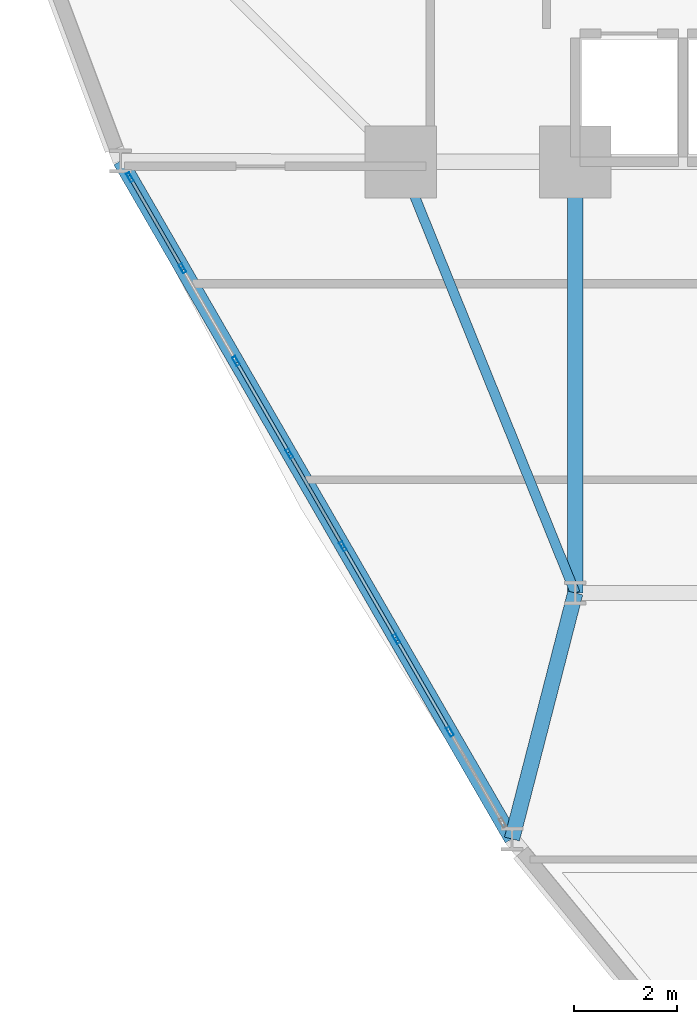
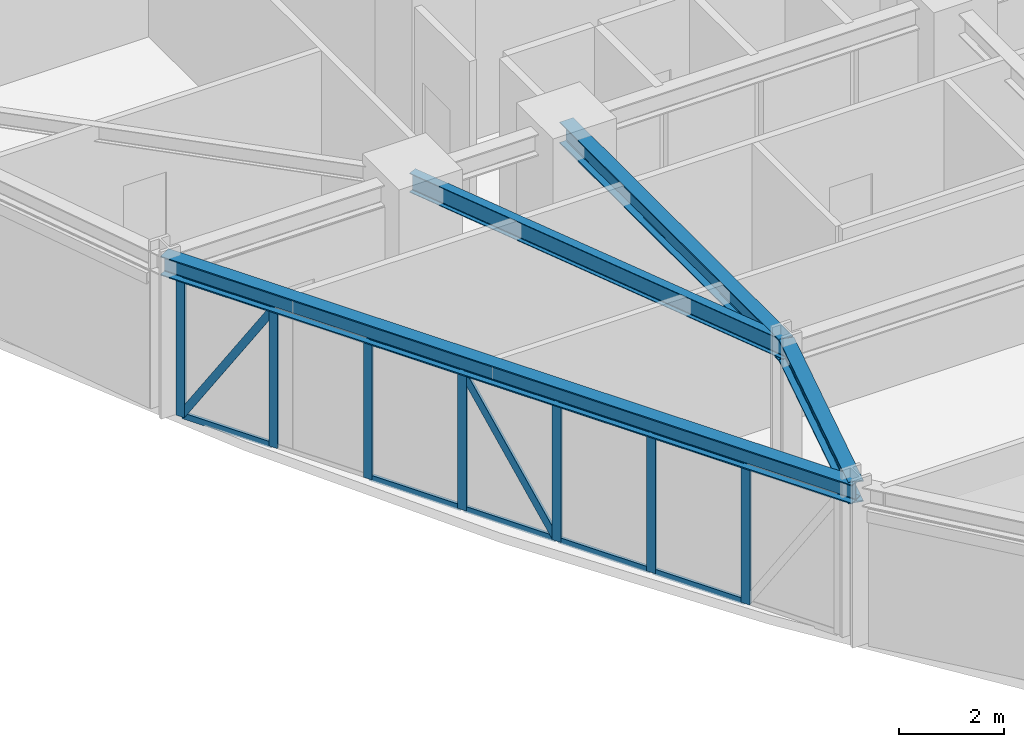
# One storey, part 4 of 20: 19 members, 4 beams, 1 element without a shape of its own.
"""IFC4 building model written with IfcOpenShell, lengths in metres."""

from ifc_helpers import new_model, si_unit, derived_unit, direction, frame, origin, origin_2d, place, context, subcontext, project, spatial, hollow_rectangle, i_section, extrude, source, transform, mapped, material, layer, layer_set, material_profile, profile_set, type_object, element, aggregate, save


model = new_model("IFC4")

# Units and contexts
model_context = context("Model", 3, precision=1e-05, world=origin(), true_north=direction((0.0, 1.0)))
body_context = subcontext(model_context, "Body", "Model", "MODEL_VIEW")
ifc_project = project(units=[si_unit("LENGTHUNIT", "METRE"), si_unit("AREAUNIT", "SQUARE_METRE"), si_unit("VOLUMEUNIT", "CUBIC_METRE"), si_unit("PLANEANGLEUNIT", "RADIAN"), si_unit("MASSUNIT", "GRAM", prefix="KILO"), derived_unit("THERMALTRANSMITTANCEUNIT", [(si_unit("POWERUNIT", "WATT"), 1), (si_unit("LENGTHUNIT", "METRE"), -2), (si_unit("THERMODYNAMICTEMPERATUREUNIT", "KELVIN"), -1)])], contexts=[model_context])

# Site, building, storey
site_placement = place(None, origin())
site = spatial("IfcSite", under=ifc_project, at=site_placement, CompositionType="ELEMENT")
building_placement = place(site_placement, origin())
building = spatial("IfcBuilding", under=site, at=building_placement, Name="Korsvarv Bourse and Concert Hall", CompositionType="ELEMENT")
storey_placement = place(building_placement, frame((0.0, 0.0, 67.800048828125)))
storey = spatial("IfcBuildingStorey", under=building, at=storey_placement, Name="L16", CompositionType="ELEMENT", Elevation=67.800048828125)

# Beams
ifc_material_1 = material(Name="Steel S355", Category="steel")
ifc_material_profile_1 = material_profile(ifc_material_1, i_section(OverallWidth=0.300048828125, OverallDepth=0.5, WebThickness=0.014404296875, FlangeThickness=0.028076171875, FilletRadius=0.02392578125, at=origin_2d()), Name="HEB 500")
ifc_profile_set_1 = profile_set([ifc_material_profile_1], Name="Steel S355")
beam_type_1 = type_object("IfcBeamType", Name="BM-HEB500", PredefinedType="BEAM", material=ifc_profile_set_1)
shared_shape_1 = source(origin(), body_context, "Body", "SweptSolid", [
    extrude(i_section(OverallWidth=0.300048828125, OverallDepth=0.5, WebThickness=0.014404296875, FlangeThickness=0.028076171875, FilletRadius=0.02392578125, at=origin_2d()), origin(), (0.0, 0.0, 1.0), 8.39990234375),
])
beam_1_placement = place(storey_placement, frame((27.60009765625, 24.0, 3.429931640625), z_axis=(0.0, 1.0, 0.0), x_axis=(-1.0, 0.0, 0.0)))
element("IfcBeam", 1, at=beam_1_placement, inside=storey, type_object=beam_type_1, Name="L16 beam B-07", PredefinedType="BEAM", context=body_context, shape_type="MappedRepresentation", body=[
    mapped(shared_shape_1, transform((0.0, 0.0, 0.0), scale=1.0)),
])
ifc_material_profile_2 = material_profile(ifc_material_1, i_section(OverallWidth=0.18994140625, OverallDepth=0.449951171875, WebThickness=0.009521484375, FlangeThickness=0.0146484375, FilletRadius=0.02099609375, at=origin_2d()), Name="IPE 450")
ifc_profile_set_2 = profile_set([ifc_material_profile_2], Name="Steel S355")
beam_type_2 = type_object("IfcBeamType", Name="BM-IPE450", PredefinedType="JOIST", material=ifc_profile_set_2)
shared_shape_2 = source(origin(), body_context, "Body", "SweptSolid", [
    extrude(i_section(OverallWidth=0.18994140625, OverallDepth=0.449951171875, WebThickness=0.009521484375, FlangeThickness=0.0146484375, FilletRadius=0.02099609375, at=origin_2d()), origin(), (0.0, 0.0, 1.0), 9.06201171875),
])
beam_2_placement = place(storey_placement, frame((24.199951171875, 32.39990234375, 3.454833984375), z_axis=(0.375210394783, -0.926939674222, 0.0), x_axis=(0.926939674222, 0.375210394783, 0.0)))
element("IfcBeam", 2, at=beam_2_placement, inside=storey, type_object=beam_type_2, Name="L16 beam J-04", PredefinedType="JOIST", context=body_context, shape_type="MappedRepresentation", body=[
    mapped(shared_shape_2, transform((0.0, 0.0, 0.0), scale=1.0)),
])
ifc_material_profile_3 = material_profile(ifc_material_1, i_section(OverallWidth=0.300048828125, OverallDepth=0.449951171875, WebThickness=0.013916015625, FlangeThickness=0.02587890625, FilletRadius=0.02099609375, at=origin_2d()), Name="HEB 450")
ifc_profile_set_3 = profile_set([ifc_material_profile_3], Name="Steel S355")
beam_type_3 = type_object("IfcBeamType", Name="BM-HEB450", PredefinedType="SPANDREL", material=ifc_profile_set_3)
shared_shape_3 = source(origin(), body_context, "Body", "SweptSolid", [
    extrude(i_section(OverallWidth=0.300048828125, OverallDepth=0.449951171875, WebThickness=0.013916015625, FlangeThickness=0.02587890625, FilletRadius=0.02099609375, at=origin_2d()), origin(), (0.0, 0.0, 1.0), 15.25341796875),
])
beam_3_placement = place(storey_placement, frame((18.73974609375, 32.41650390625, 3.454833984375), z_axis=(0.500015713259, -0.86601633154, 0.0), x_axis=(0.86601633154, 0.500015713259, 0.0)))
element("IfcBeam", 3, at=beam_3_placement, inside=storey, type_object=beam_type_3, Name="L16 beam B-08", PredefinedType="SPANDREL", context=body_context, shape_type="MappedRepresentation", body=[
    mapped(shared_shape_3, transform((0.0, 0.0, 0.0), scale=1.0)),
])
shared_shape_4 = source(origin(), body_context, "Body", "SweptSolid", [
    extrude(i_section(OverallWidth=0.300048828125, OverallDepth=0.5, WebThickness=0.014404296875, FlangeThickness=0.028076171875, FilletRadius=0.02392578125, at=origin_2d()), origin(), (0.0, 0.0, 1.0), 4.949462890625),
])
beam_4_placement = place(storey_placement, frame((26.36669921875, 19.206787109375, 3.429931640625), z_axis=(0.249203636477, 0.968451107473, 0.0), x_axis=(-0.968451107473, 0.249203636477, 0.0)))
element("IfcBeam", 4, at=beam_4_placement, inside=storey, type_object=beam_type_1, Name="L16 beam B-07", PredefinedType="BEAM", context=body_context, shape_type="MappedRepresentation", body=[
    mapped(shared_shape_4, transform((0.0, 0.0, 0.0), scale=1.0)),
])

# Curtain wall, members
ifc_material_2 = material(Name="Anodised aluminium and triple low-E glazing", Category="glass")
ifc_layer = layer(ifc_material_2, 0.219970703125)
ifc_layer_set = layer_set([ifc_layer], Name="Anodised aluminium and triple low-E glazing")
curtain_wall_type = type_object("IfcCurtainWallType", Name="CW-SYS-1", PredefinedType="NOTDEFINED", material=ifc_layer_set)
curtain_wall_placement = place(storey_placement, origin())
curtain_wall = element("IfcCurtainWall", 5, at=curtain_wall_placement, inside=storey, type_object=curtain_wall_type, Name="L16 CW1 curtain wall CW-L16-F07", PredefinedType="NOTDEFINED")
ifc_material_3 = material(Name="Extruded aluminium EN AW-6063 T66", Category="aluminium")
ifc_material_profile_4 = material_profile(ifc_material_3, hollow_rectangle(XDim=0.070068359375, YDim=0.18994140625, WallThickness=0.0048828125, at=origin_2d()), Name="ALU-M 70x190")
ifc_profile_set_4 = profile_set([ifc_material_profile_4], Name="Extruded aluminium EN AW-6063 T66")
member_type_1 = type_object("IfcMemberType", Name="CWM-190", PredefinedType="MULLION", material=ifc_profile_set_4)
shared_shape_5 = source(origin(), body_context, "Body", "SweptSolid", [
    extrude(hollow_rectangle(XDim=0.070068359375, YDim=0.18994140625, WallThickness=0.0048828125, at=origin_2d()), origin(), (0.0, 0.0, 1.0), 3.22998046875),
])
member_1_placement = place(storey_placement, frame((18.923095703125, 32.09912109375, 0.0), z_axis=(0.0, 0.0, 1.0), x_axis=(0.86602191759, 0.500006038217, 0.0)))
member_1 = element("IfcMember", 6, at=member_1_placement, type_object=member_type_1, Name="CW1 mullion 1", PredefinedType="MULLION", context=body_context, shape_type="MappedRepresentation", body=[
    mapped(shared_shape_5, transform((0.0, 0.0, 0.0), scale=1.0)),
])
member_2_placement = place(storey_placement, frame((19.94775390625, 30.324462890625, 0.0), z_axis=(0.0, 0.0, 1.0), x_axis=(0.86602191759, 0.500006038217, 0.0)))
member_2 = element("IfcMember", 7, at=member_2_placement, type_object=member_type_1, Name="CW1 mullion 2", PredefinedType="MULLION", context=body_context, shape_type="MappedRepresentation", body=[
    mapped(shared_shape_5, transform((0.0, 0.0, 0.0), scale=1.0)),
])
member_3_placement = place(storey_placement, frame((20.989990234375, 28.519287109375, 0.0), z_axis=(0.0, 0.0, 1.0), x_axis=(0.86602191759, 0.500006038217, 0.0)))
member_3 = element("IfcMember", 8, at=member_3_placement, type_object=member_type_1, Name="CW1 mullion 3", PredefinedType="MULLION", context=body_context, shape_type="MappedRepresentation", body=[
    mapped(shared_shape_5, transform((0.0, 0.0, 0.0), scale=1.0)),
])
member_4_placement = place(storey_placement, frame((22.031982421875, 26.714111328125, 0.0), z_axis=(0.0, 0.0, 1.0), x_axis=(0.86602191759, 0.500006038217, 0.0)))
member_4 = element("IfcMember", 9, at=member_4_placement, type_object=member_type_1, Name="CW1 mullion 4", PredefinedType="MULLION", context=body_context, shape_type="MappedRepresentation", body=[
    mapped(shared_shape_5, transform((0.0, 0.0, 0.0), scale=1.0)),
])
member_5_placement = place(storey_placement, frame((23.07421875, 24.908935546875, 0.0), z_axis=(0.0, 0.0, 1.0), x_axis=(0.86602191759, 0.500006038217, 0.0)))
member_5 = element("IfcMember", 10, at=member_5_placement, type_object=member_type_1, Name="CW1 mullion 5", PredefinedType="MULLION", context=body_context, shape_type="MappedRepresentation", body=[
    mapped(shared_shape_5, transform((0.0, 0.0, 0.0), scale=1.0)),
])
member_6_placement = place(storey_placement, frame((24.116455078125, 23.10400390625, 0.0), z_axis=(0.0, 0.0, 1.0), x_axis=(0.86602191759, 0.500006038217, 0.0)))
member_6 = element("IfcMember", 11, at=member_6_placement, type_object=member_type_1, Name="CW1 mullion 6", PredefinedType="MULLION", context=body_context, shape_type="MappedRepresentation", body=[
    mapped(shared_shape_5, transform((0.0, 0.0, 0.0), scale=1.0)),
])
member_7_placement = place(storey_placement, frame((25.15869140625, 21.298828125, 0.0), z_axis=(0.0, 0.0, 1.0), x_axis=(0.86602191759, 0.500006038217, 0.0)))
member_7 = element("IfcMember", 12, at=member_7_placement, type_object=member_type_1, Name="CW1 mullion 7", PredefinedType="MULLION", context=body_context, shape_type="MappedRepresentation", body=[
    mapped(shared_shape_5, transform((0.0, 0.0, 0.0), scale=1.0)),
])
ifc_material_profile_5 = material_profile(ifc_material_3, hollow_rectangle(XDim=0.06494140625, YDim=0.139892578125, WallThickness=0.00390625, at=origin_2d()), Name="ALU-T 65x140")
ifc_profile_set_5 = profile_set([ifc_material_profile_5], Name="Extruded aluminium EN AW-6063 T66")
member_type_2 = type_object("IfcMemberType", Name="CWT-140", PredefinedType="USERDEFINED", material=ifc_profile_set_5)
shared_shape_6 = source(origin(), body_context, "Body", "SweptSolid", [
    extrude(hollow_rectangle(XDim=0.06494140625, YDim=0.139892578125, WallThickness=0.00390625, at=origin_2d()), origin(), (0.0, 0.0, 1.0), 1.979248046875),
])
member_8_placement = place(storey_placement, frame((18.9404296875, 32.06884765625, 0.032470703125), z_axis=(0.500039200885, -0.86600276996, 0.0), x_axis=(0.86600276996, 0.500039200885, 0.0)))
member_8 = element("IfcMember", 13, at=member_8_placement, type_object=member_type_2, Name="CW1 transom 1.1", ObjectType="TRANSOM", PredefinedType="USERDEFINED", context=body_context, shape_type="MappedRepresentation", body=[
    mapped(shared_shape_6, transform((0.0, 0.0, 0.0), scale=1.0)),
])
member_9_placement = place(storey_placement, frame((18.9404296875, 32.06884765625, 3.197509765625), z_axis=(0.500039200885, -0.86600276996, 0.0), x_axis=(0.86600276996, 0.500039200885, 0.0)))
member_9 = element("IfcMember", 14, at=member_9_placement, type_object=member_type_2, Name="CW1 transom 1.2", ObjectType="TRANSOM", PredefinedType="USERDEFINED", context=body_context, shape_type="MappedRepresentation", body=[
    mapped(shared_shape_6, transform((0.0, 0.0, 0.0), scale=1.0)),
])
ifc_material_profile_6 = material_profile(ifc_material_3, hollow_rectangle(XDim=0.06494140625, YDim=0.1650390625, WallThickness=0.0048828125, at=origin_2d()), Name="ALU-M 65x165")
ifc_profile_set_6 = profile_set([ifc_material_profile_6], Name="Extruded aluminium EN AW-6063 T66")
member_type_3 = type_object("IfcMemberType", Name="CWM-165", PredefinedType="MULLION", material=ifc_profile_set_6)
shared_shape_7 = source(origin(), body_context, "Body", "SweptSolid", [
    extrude(hollow_rectangle(XDim=0.06494140625, YDim=0.1650390625, WallThickness=0.0048828125, at=origin_2d()), origin(), (0.0, 0.0, 1.0), 3.677978515625),
])
member_10_placement = place(storey_placement, frame((18.9404296875, 32.06884765625, 0.06494140625), z_axis=(0.269092065497, -0.466032410423, 0.842854229818), x_axis=(0.86600276996, 0.500039200885, 0.0)))
member_10 = element("IfcMember", 15, at=member_10_placement, type_object=member_type_3, Name="CW1 diagonal mullion 1", PredefinedType="MULLION", context=body_context, shape_type="MappedRepresentation", body=[
    mapped(shared_shape_7, transform((0.0, 0.0, 0.0), scale=1.0)),
])
shared_shape_8 = source(origin(), body_context, "Body", "SweptSolid", [
    extrude(hollow_rectangle(XDim=0.06494140625, YDim=0.139892578125, WallThickness=0.00390625, at=origin_2d()), origin(), (0.0, 0.0, 1.0), 2.0146484375),
])
member_11_placement = place(storey_placement, frame((21.00732421875, 28.489013671875, 0.032470703125), z_axis=(0.500023174947, -0.866012023309, 0.0), x_axis=(0.866012023309, 0.500023174947, 0.0)))
member_11 = element("IfcMember", 16, at=member_11_placement, type_object=member_type_2, Name="CW1 transom 3.1", ObjectType="TRANSOM", PredefinedType="USERDEFINED", context=body_context, shape_type="MappedRepresentation", body=[
    mapped(shared_shape_8, transform((0.0, 0.0, 0.0), scale=1.0)),
])
member_12_placement = place(storey_placement, frame((21.00732421875, 28.489013671875, 3.197509765625), z_axis=(0.500023174947, -0.866012023309, 0.0), x_axis=(0.866012023309, 0.500023174947, 0.0)))
member_12 = element("IfcMember", 17, at=member_12_placement, type_object=member_type_2, Name="CW1 transom 3.2", ObjectType="TRANSOM", PredefinedType="USERDEFINED", context=body_context, shape_type="MappedRepresentation", body=[
    mapped(shared_shape_8, transform((0.0, 0.0, 0.0), scale=1.0)),
])
shared_shape_9 = source(origin(), body_context, "Body", "SweptSolid", [
    extrude(hollow_rectangle(XDim=0.06494140625, YDim=0.139892578125, WallThickness=0.00390625, at=origin_2d()), origin(), (0.0, 0.0, 1.0), 2.014404296875),
])
member_13_placement = place(storey_placement, frame((22.049560546875, 26.683837890625, 0.032470703125), z_axis=(0.500075657258, -0.86598171864, 0.0), x_axis=(0.86598171864, 0.500075657258, 0.0)))
member_13 = element("IfcMember", 18, at=member_13_placement, type_object=member_type_2, Name="CW1 transom 4.1", ObjectType="TRANSOM", PredefinedType="USERDEFINED", context=body_context, shape_type="MappedRepresentation", body=[
    mapped(shared_shape_9, transform((0.0, 0.0, 0.0), scale=1.0)),
])
member_14_placement = place(storey_placement, frame((22.049560546875, 26.683837890625, 3.197509765625), z_axis=(0.500075657258, -0.86598171864, 0.0), x_axis=(0.86598171864, 0.500075657258, 0.0)))
member_14 = element("IfcMember", 19, at=member_14_placement, type_object=member_type_2, Name="CW1 transom 4.2", ObjectType="TRANSOM", PredefinedType="USERDEFINED", context=body_context, shape_type="MappedRepresentation", body=[
    mapped(shared_shape_9, transform((0.0, 0.0, 0.0), scale=1.0)),
])
member_15_placement = place(storey_placement, frame((23.091796875, 24.878662109375, 0.032470703125), z_axis=(0.500075657258, -0.86598171864, 0.0), x_axis=(0.86598171864, 0.500075657258, 0.0)))
member_15 = element("IfcMember", 20, at=member_15_placement, type_object=member_type_2, Name="CW1 transom 5.1", ObjectType="TRANSOM", PredefinedType="USERDEFINED", context=body_context, shape_type="MappedRepresentation", body=[
    mapped(shared_shape_9, transform((0.0, 0.0, 0.0), scale=1.0)),
])
member_16_placement = place(storey_placement, frame((23.091796875, 24.878662109375, 3.197509765625), z_axis=(0.500075657258, -0.86598171864, 0.0), x_axis=(0.86598171864, 0.500075657258, 0.0)))
member_16 = element("IfcMember", 21, at=member_16_placement, type_object=member_type_2, Name="CW1 transom 5.2", ObjectType="TRANSOM", PredefinedType="USERDEFINED", context=body_context, shape_type="MappedRepresentation", body=[
    mapped(shared_shape_9, transform((0.0, 0.0, 0.0), scale=1.0)),
])
member_17_placement = place(storey_placement, frame((24.134033203125, 23.07373046875, 0.032470703125), z_axis=(0.499932278224, -0.86606449944, 0.0), x_axis=(0.86606449944, 0.499932278224, 0.0)))
member_17 = element("IfcMember", 22, at=member_17_placement, type_object=member_type_2, Name="CW1 transom 6.1", ObjectType="TRANSOM", PredefinedType="USERDEFINED", context=body_context, shape_type="MappedRepresentation", body=[
    mapped(shared_shape_9, transform((0.0, 0.0, 0.0), scale=1.0)),
])
member_18_placement = place(storey_placement, frame((24.134033203125, 23.07373046875, 3.197509765625), z_axis=(0.499932278224, -0.86606449944, 0.0), x_axis=(0.86606449944, 0.499932278224, 0.0)))
member_18 = element("IfcMember", 23, at=member_18_placement, type_object=member_type_2, Name="CW1 transom 6.2", ObjectType="TRANSOM", PredefinedType="USERDEFINED", context=body_context, shape_type="MappedRepresentation", body=[
    mapped(shared_shape_9, transform((0.0, 0.0, 0.0), scale=1.0)),
])
shared_shape_10 = source(origin(), body_context, "Body", "SweptSolid", [
    extrude(hollow_rectangle(XDim=0.06494140625, YDim=0.1650390625, WallThickness=0.0048828125, at=origin_2d()), origin(), (0.0, 0.0, 1.0), 3.697021484375),
])
member_19_placement = place(storey_placement, frame((23.056884765625, 24.939453125, 0.06494140625), z_axis=(-0.272466955627, 0.471831410071, 0.838532574539), x_axis=(-0.86598171864, -0.500075657258, 0.0)))
member_19 = element("IfcMember", 24, at=member_19_placement, type_object=member_type_3, Name="CW1 diagonal mullion 4", PredefinedType="MULLION", context=body_context, shape_type="MappedRepresentation", body=[
    mapped(shared_shape_10, transform((0.0, 0.0, 0.0), scale=1.0)),
])
aggregate(curtain_wall, [member_1, member_2, member_3, member_4, member_5, member_6, member_7, member_8, member_9, member_10, member_11, member_12, member_13, member_14, member_19, member_15, member_16, member_17, member_18])

save(model, "model.ifc")
